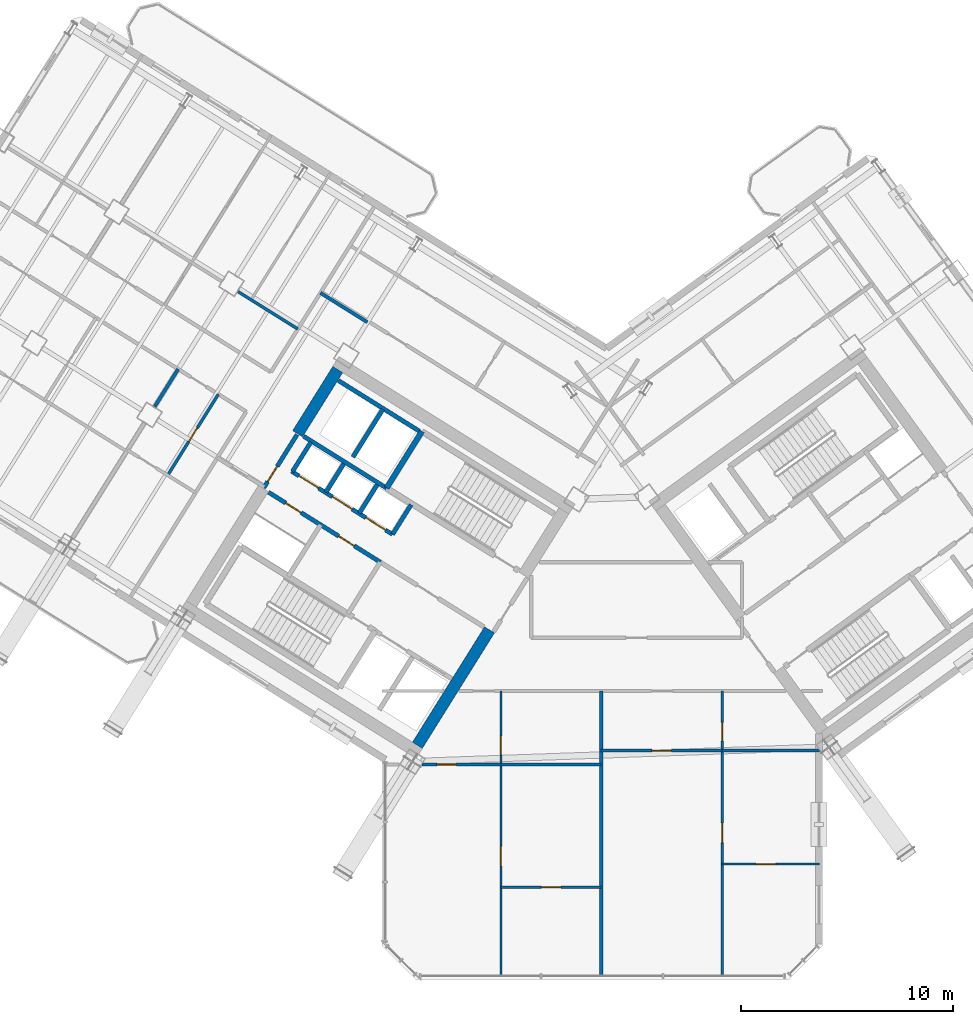
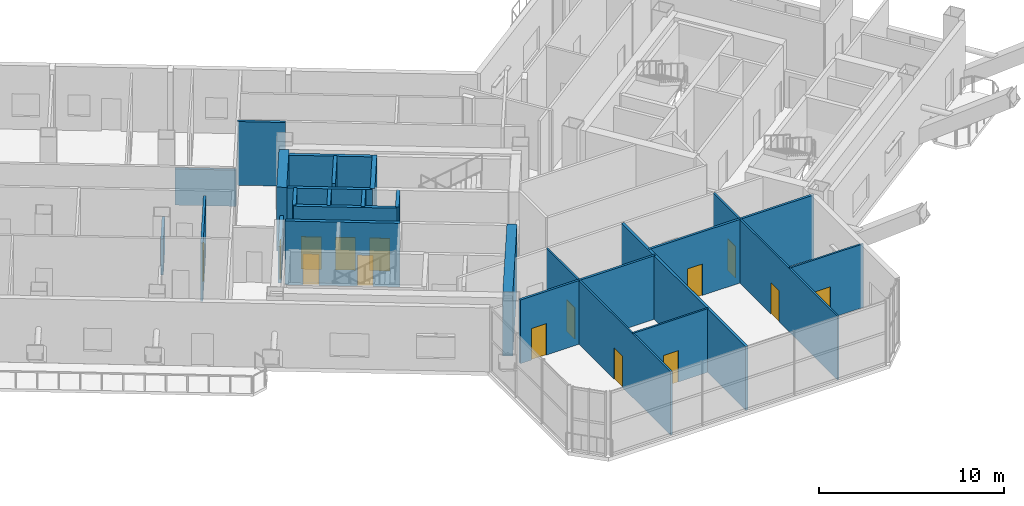
# One storey, part 22 of 32: 26 walls, 15 doors, 15 openings.
"""IFC4 building model written with IfcOpenShell, lengths in metres."""

from ifc_helpers import new_model, si_unit, direction, frame, frame_2d, origin, place, context, subcontext, project, spatial, rectangle, extrude, source, transform, mapped, material, layer, layer_set, type_object, element, fill, save


model = new_model("IFC4")

# Units and contexts
model_context = context("Model", 3, precision=1e-05, world=origin(), true_north=direction((0.0, 1.0)))
body_context = subcontext(model_context, "Body", "Model", "MODEL_VIEW")
ifc_project = project(units=[si_unit("LENGTHUNIT", "METRE"), si_unit("AREAUNIT", "SQUARE_METRE"), si_unit("VOLUMEUNIT", "CUBIC_METRE"), si_unit("PLANEANGLEUNIT", "RADIAN"), si_unit("MASSUNIT", "GRAM", prefix="KILO")], contexts=[model_context])

# Site, building, storey
site_placement = place(None, origin())
site = spatial("IfcSite", under=ifc_project, at=site_placement, CompositionType="ELEMENT")
building_placement = place(site_placement, origin())
building = spatial("IfcBuilding", under=site, at=building_placement, Name="Tlacorven Tower", CompositionType="ELEMENT")
storey_placement = place(building_placement, frame((0.0, 0.0, 123.300048828125)))
storey = spatial("IfcBuildingStorey", under=building, at=storey_placement, Name="L31", CompositionType="ELEMENT", Elevation=123.300048828125)

# Walls
ifc_material_1 = material(Name="Concrete C60/75", Category="concrete")
ifc_layer_1 = layer(ifc_material_1, 0.550048828125)
ifc_layer_set_1 = layer_set([ifc_layer_1], Name="Concrete C60/75")
wall_type_1 = type_object("IfcWallType", Name="WL-COR-550", PredefinedType="SHEAR", material=ifc_layer_set_1)
wall_1_placement = place(storey_placement, frame((36.683349609375, 18.30419921875, 0.0), z_axis=(0.0, 0.0, 1.0), x_axis=(-0.529896466841, -0.848062341122, 0.0)))
element("IfcWall", 1, at=wall_1_placement, inside=storey, type_object=wall_type_1, Name="L31 W core end wall E1.2", PredefinedType="SHEAR", context=body_context, shape_type="SweptSolid", body=[
    extrude(rectangle(XDim=6.4248046875, YDim=0.550048828125, at=frame_2d((3.21240234375, 0.0))), origin(), (0.0, 0.0, 1.0), 4.219970703125),
])
wall_2_placement = place(storey_placement, frame((29.517333984375, 30.59423828125, 0.0), z_axis=(0.0, 0.0, 1.0), x_axis=(-0.529906864564, -0.848055844204, 0.0)))
element("IfcWall", 2, at=wall_2_placement, inside=storey, type_object=wall_type_1, Name="L31 W core end wall E2.1", PredefinedType="SHEAR", context=body_context, shape_type="SweptSolid", body=[
    extrude(rectangle(XDim=3.5751953125, YDim=0.550048828125, at=frame_2d((1.78759765625, 0.0))), origin(), (0.0, 0.0, 1.0), 4.219970703125),
])
ifc_material_2 = material(Name="Gypsum plasterboard acoustic partition", Category="gypsum")
ifc_layer_2 = layer(ifc_material_2, 0.159912109375)
ifc_layer_set_2 = layer_set([ifc_layer_2], Name="Gypsum plasterboard acoustic partition")
wall_type_2 = type_object("IfcWallType", Name="WL-DEM-160", PredefinedType="PARTITIONING", material=ifc_layer_set_2)
wall_3_placement = place(storey_placement, frame((30.91357421875, 32.82861328125, 0.0), z_axis=(0.0, 0.0, 1.0), x_axis=(-0.848008813643, 0.529982124211, 0.0)))
element("IfcWall", 3, at=wall_3_placement, inside=storey, type_object=wall_type_2, Name="L31 partition 43", PredefinedType="PARTITIONING", context=body_context, shape_type="SweptSolid", body=[
    extrude(rectangle(XDim=2.610107421875, YDim=0.159912109375, at=frame_2d((1.30517578125, 0.0))), origin(), (0.0, 0.0, 1.0), 4.2099609375),
])
wall_4_placement = place(storey_placement, frame((21.9833984375, 30.614501953125, 0.0), z_axis=(0.0, 0.0, 1.0), x_axis=(-0.529956894714, -0.848024580862, 0.0)))
element("IfcWall", 4, at=wall_4_placement, inside=storey, type_object=wall_type_2, Name="L31 WN Demising Wall 1", PredefinedType="PARTITIONING", context=body_context, shape_type="SweptSolid", body=[
    extrude(rectangle(XDim=2.087890625, YDim=0.159912109375, at=frame_2d((1.0439453125, 0.0))), origin(), (0.0, 0.0, 1.0), 2.39501953125),
])
wall_5_placement = place(storey_placement, frame((41.949951171875, 1.9599609375, 0.0), z_axis=(0.0, 0.0, 1.0), x_axis=(0.0, 1.0, 0.0)))
element("IfcWall", 5, at=wall_5_placement, inside=storey, type_object=wall_type_2, Name="L31 Knuckle Demising Wall 1", PredefinedType="PARTITIONING", context=body_context, shape_type="SweptSolid", body=[
    extrude(rectangle(XDim=13.4599609375, YDim=0.159912109375, at=frame_2d((6.72998046875, 0.0))), origin(), (0.0, 0.0, 1.0), 4.2099609375),
])

# Wall, openings, doors
ifc_material_3 = material(Name="Gypsum plasterboard partition", Category="gypsum")
ifc_layer_3 = layer(ifc_material_3, 0.110107421875)
ifc_layer_set_3 = layer_set([ifc_layer_3], Name="Gypsum plasterboard partition")
wall_type_3 = type_object("IfcWallType", Name="WL-INT-110", PredefinedType="PARTITIONING", material=ifc_layer_set_3)
wall_6_placement = place(storey_placement, frame((37.221923828125, 1.9599609375, 0.0), z_axis=(0.0, 0.0, 1.0), x_axis=(0.0, 1.0, 0.0)))
wall_6 = element("IfcWall", 6, at=wall_6_placement, inside=storey, type_object=wall_type_3, Name="L31 partition 78", PredefinedType="PARTITIONING", context=body_context, shape_type="SweptSolid", body=[
    extrude(rectangle(XDim=13.4599609375, YDim=0.110107421875, at=frame_2d((6.72998046875, 0.0))), origin(), (0.0, 0.0, 1.0), 4.2099609375),
])
opening_1_placement = place(wall_6_placement, frame((5.199951171875, 0.0, 0.0)))
opening_1 = element("IfcOpeningElement", 7, at=opening_1_placement, cuts=wall_6, Name="Opening D12", PredefinedType="OPENING", context=body_context, shape_type="SweptSolid", body=[
    extrude(rectangle(XDim=0.919921875, YDim=2.080078125, at=frame_2d((0.4599609375, 1.0400390625))), frame((0.0, 0.06494140625, 0.0), z_axis=(0.0, -1.0, 0.0), x_axis=(1.0, 0.0, 0.0)), (0.0, 0.0, 1.0), 0.130126953125),
])
opening_2_placement = place(wall_6_placement, frame((10.449951171875, 0.0, 0.0)))
opening_2 = element("IfcOpeningElement", 8, at=opening_2_placement, cuts=wall_6, Name="Opening D13", PredefinedType="OPENING", context=body_context, shape_type="SweptSolid", body=[
    extrude(rectangle(XDim=0.8798828125, YDim=2.080078125, at=frame_2d((0.43994140625, 1.0400390625))), frame((0.0, 0.06494140625, 0.0), z_axis=(0.0, -1.0, 0.0), x_axis=(1.0, 0.0, 0.0)), (0.0, 0.0, 1.0), 0.130126953125),
])
ifc_material_4 = material(Name="Powder-coated aluminium and timber door", Category="wood")
door_type_1 = type_object("IfcDoorType", Name="DR-INT-WET-0880", OperationType="NOTDEFINED", PredefinedType="DOOR", material=ifc_material_4)
shared_shape_1 = source(origin(), body_context, "Body", "SweptSolid", [
    extrude(rectangle(XDim=0.8798828125, YDim=2.080078125, at=frame_2d((0.43994140625, 1.0400390625))), frame((0.0, 0.02490234375, 0.0), z_axis=(0.0, -1.0, 0.0), x_axis=(1.0, 0.0, 0.0)), (0.0, 0.0, 1.0), 0.050048828125),
])
door_1_placement = place(opening_2_placement, origin())
door_1 = element("IfcDoor", 9, at=door_1_placement, inside=storey, type_object=door_type_1, Name="L31 door 050", OperationType="SINGLE_SWING_RIGHT", OverallHeight=2.080078125, OverallWidth=0.8798828125, PredefinedType="DOOR", context=body_context, shape_type="MappedRepresentation", body=[
    mapped(shared_shape_1, transform((0.0, 0.0, 0.0), scale=1.0)),
])
fill(opening_2, door_1)
door_type_2 = type_object("IfcDoorType", Name="DR-INT-ROOM-0920", OperationType="NOTDEFINED", PredefinedType="DOOR", material=ifc_material_4)
shared_shape_2 = source(origin(), body_context, "Body", "SweptSolid", [
    extrude(rectangle(XDim=0.919921875, YDim=2.080078125, at=frame_2d((0.4599609375, 1.0400390625))), frame((0.0, 0.02490234375, 0.0), z_axis=(0.0, -1.0, 0.0), x_axis=(1.0, 0.0, 0.0)), (0.0, 0.0, 1.0), 0.050048828125),
])
door_2_placement = place(opening_1_placement, origin())
door_2 = element("IfcDoor", 10, at=door_2_placement, inside=storey, type_object=door_type_2, Name="L31 door 046", OperationType="SINGLE_SWING_RIGHT", OverallHeight=2.080078125, OverallWidth=0.919921875, PredefinedType="DOOR", context=body_context, shape_type="MappedRepresentation", body=[
    mapped(shared_shape_2, transform((0.0, 0.0, 0.0), scale=1.0)),
])
fill(opening_1, door_2)

# Wall, opening, door
wall_7_placement = place(storey_placement, frame((37.221923828125, 6.14990234375, 0.0), z_axis=(0.0, 0.0, 1.0), x_axis=(1.0, 0.0, 0.0)))
wall_7 = element("IfcWall", 11, at=wall_7_placement, inside=storey, type_object=wall_type_3, Name="L31 partition 81", PredefinedType="PARTITIONING", context=body_context, shape_type="SweptSolid", body=[
    extrude(rectangle(XDim=4.72802734375, YDim=0.110107421875, at=frame_2d((2.364013671875, 0.0))), origin(), (0.0, 0.0, 1.0), 4.2099609375),
])
opening_3_placement = place(wall_7_placement, frame((1.904052734375, 0.0, 0.0)))
opening_3 = element("IfcOpeningElement", 12, at=opening_3_placement, cuts=wall_7, Name="Opening D12", PredefinedType="OPENING", context=body_context, shape_type="SweptSolid", body=[
    extrude(rectangle(XDim=0.919921875, YDim=2.080078125, at=frame_2d((0.4599609375, 1.0400390625))), frame((0.0, 0.06494140625, 0.0), z_axis=(0.0, -1.0, 0.0), x_axis=(1.0, 0.0, 0.0)), (0.0, 0.0, 1.0), 0.130126953125),
])
door_3_placement = place(opening_3_placement, origin())
door_3 = element("IfcDoor", 13, at=door_3_placement, inside=storey, type_object=door_type_2, Name="L31 door 047", OperationType="SINGLE_SWING_LEFT", OverallHeight=2.080078125, OverallWidth=0.919921875, PredefinedType="DOOR", context=body_context, shape_type="MappedRepresentation", body=[
    mapped(shared_shape_2, transform((0.0, 0.0, 0.0), scale=1.0)),
])
fill(opening_3, door_3)

# Wall, openings, doors
wall_8_placement = place(storey_placement, frame((47.6630859375, 1.9599609375, 0.0), z_axis=(0.0, 0.0, 1.0), x_axis=(0.0, 1.0, 0.0)))
wall_8 = element("IfcWall", 14, at=wall_8_placement, inside=storey, type_object=wall_type_3, Name="L31 partition 82", PredefinedType="PARTITIONING", context=body_context, shape_type="SweptSolid", body=[
    extrude(rectangle(XDim=13.4599609375, YDim=0.110107421875, at=frame_2d((6.72998046875, 0.0))), origin(), (0.0, 0.0, 1.0), 4.2099609375),
])
opening_4_placement = place(wall_8_placement, frame((6.300048828125, 0.0, 0.0)))
opening_4 = element("IfcOpeningElement", 15, at=opening_4_placement, cuts=wall_8, Name="Opening D12", PredefinedType="OPENING", context=body_context, shape_type="SweptSolid", body=[
    extrude(rectangle(XDim=0.919921875, YDim=2.080078125, at=frame_2d((0.4599609375, 1.0400390625))), frame((0.0, 0.06494140625, 0.0), z_axis=(0.0, -1.0, 0.0), x_axis=(1.0, 0.0, 0.0)), (0.0, 0.0, 1.0), 0.130126953125),
])
opening_5_placement = place(wall_8_placement, frame((11.10009765625, 0.0, 0.0)))
opening_5 = element("IfcOpeningElement", 16, at=opening_5_placement, cuts=wall_8, Name="Opening D13", PredefinedType="OPENING", context=body_context, shape_type="SweptSolid", body=[
    extrude(rectangle(XDim=0.8798828125, YDim=2.080078125, at=frame_2d((0.43994140625, 1.0400390625))), frame((0.0, 0.06494140625, 0.0), z_axis=(0.0, -1.0, 0.0), x_axis=(1.0, 0.0, 0.0)), (0.0, 0.0, 1.0), 0.130126953125),
])
door_4_placement = place(opening_5_placement, origin())
door_4 = element("IfcDoor", 17, at=door_4_placement, inside=storey, type_object=door_type_1, Name="L31 door 055", OperationType="SINGLE_SWING_LEFT", OverallHeight=2.080078125, OverallWidth=0.8798828125, PredefinedType="DOOR", context=body_context, shape_type="MappedRepresentation", body=[
    mapped(shared_shape_1, transform((0.0, 0.0, 0.0), scale=1.0)),
])
fill(opening_5, door_4)
door_5_placement = place(opening_4_placement, origin())
door_5 = element("IfcDoor", 18, at=door_5_placement, inside=storey, type_object=door_type_2, Name="L31 door 051", OperationType="SINGLE_SWING_LEFT", OverallHeight=2.080078125, OverallWidth=0.919921875, PredefinedType="DOOR", context=body_context, shape_type="MappedRepresentation", body=[
    mapped(shared_shape_2, transform((0.0, 0.0, 0.0), scale=1.0)),
])
fill(opening_4, door_5)

# Wall, opening, door
wall_9_placement = place(storey_placement, frame((47.6630859375, 7.25, 0.0), z_axis=(0.0, 0.0, 1.0), x_axis=(1.0, 0.0, 0.0)))
wall_9 = element("IfcWall", 19, at=wall_9_placement, inside=storey, type_object=wall_type_3, Name="L31 partition 85", PredefinedType="PARTITIONING", context=body_context, shape_type="SweptSolid", body=[
    extrude(rectangle(XDim=4.596923828125, YDim=0.110107421875, at=frame_2d((2.29833984375, 0.0))), origin(), (0.0, 0.0, 1.0), 4.2099609375),
])
opening_6_placement = place(wall_9_placement, frame((1.6083984375, 0.0, 0.0)))
opening_6 = element("IfcOpeningElement", 20, at=opening_6_placement, cuts=wall_9, Name="Opening D12", PredefinedType="OPENING", context=body_context, shape_type="SweptSolid", body=[
    extrude(rectangle(XDim=0.919921875, YDim=2.080078125, at=frame_2d((0.4599609375, 1.0400390625))), frame((0.0, 0.06494140625, 0.0), z_axis=(0.0, -1.0, 0.0), x_axis=(1.0, 0.0, 0.0)), (0.0, 0.0, 1.0), 0.130126953125),
])
door_6_placement = place(opening_6_placement, origin())
door_6 = element("IfcDoor", 21, at=door_6_placement, inside=storey, type_object=door_type_2, Name="L31 door 052", OperationType="SINGLE_SWING_RIGHT", OverallHeight=2.080078125, OverallWidth=0.919921875, PredefinedType="DOOR", context=body_context, shape_type="MappedRepresentation", body=[
    mapped(shared_shape_2, transform((0.0, 0.0, 0.0), scale=1.0)),
])
fill(opening_6, door_6)

ifc_material_5 = material(Name="Moisture-resistant gypsum plumbing wall", Category="gypsum")
ifc_layer_4 = layer(ifc_material_5, 0.139892578125)
ifc_layer_set_4 = layer_set([ifc_layer_4], Name="Moisture-resistant gypsum plumbing wall")
wall_type_4 = type_object("IfcWallType", Name="WL-PLM-140", PredefinedType="PLUMBINGWALL", material=ifc_layer_set_4)
wall_10_placement = place(storey_placement, frame((23.883056640625, 29.427490234375, 0.0), z_axis=(0.0, 0.0, 1.0), x_axis=(-0.529950281337, -0.84802871373, 0.0)))
wall_10 = element("IfcWall", 22, at=wall_10_placement, inside=storey, type_object=wall_type_4, Name="L31 partition 52", PredefinedType="PLUMBINGWALL", context=body_context, shape_type="SweptSolid", body=[
    extrude(rectangle(XDim=4.510009765625, YDim=0.139892578125, at=frame_2d((2.2548828125, 0.0))), origin(), (0.0, 0.0, 1.0), 3.864990234375),
])
opening_7_placement = place(wall_10_placement, frame((1.864990234375, 0.0, 0.0)))
opening_7 = element("IfcOpeningElement", 23, at=opening_7_placement, cuts=wall_10, Name="Opening D22", PredefinedType="OPENING", context=body_context, shape_type="SweptSolid", body=[
    extrude(rectangle(XDim=0.780029296875, YDim=2.050048828125, at=frame_2d((0.39013671875, 1.02490234375))), frame((0.0, 0.080078125, 0.0), z_axis=(0.0, -1.0, 0.0), x_axis=(1.0, 0.0, 0.0)), (0.0, 0.0, 1.0), 0.159912109375),
])
door_type_3 = type_object("IfcDoorType", Name="DR-INT-WET-0780", OperationType="NOTDEFINED", PredefinedType="DOOR", material=ifc_material_4)
shared_shape_3 = source(origin(), body_context, "Body", "SweptSolid", [
    extrude(rectangle(XDim=0.780029296875, YDim=2.050048828125, at=frame_2d((0.39013671875, 1.02490234375))), frame((0.0, 0.02490234375, 0.0), z_axis=(0.0, -1.0, 0.0), x_axis=(1.0, 0.0, 0.0)), (0.0, 0.0, 1.0), 0.050048828125),
])
door_7_placement = place(opening_7_placement, origin())
door_7 = element("IfcDoor", 24, at=door_7_placement, inside=storey, type_object=door_type_3, Name="L31 door 024", OperationType="SINGLE_SWING_RIGHT", OverallHeight=2.050048828125, OverallWidth=0.780029296875, PredefinedType="DOOR", context=body_context, shape_type="MappedRepresentation", body=[
    mapped(shared_shape_3, transform((0.0, 0.0, 0.0), scale=1.0)),
])
fill(opening_7, door_7)

# Wall
wall_11_placement = place(storey_placement, frame((27.635009765625, 32.50732421875, 0.0), z_axis=(0.0, 0.0, 1.0), x_axis=(-0.848064240775, 0.529893426567, 0.0)))
element("IfcWall", 25, at=wall_11_placement, inside=storey, type_object=wall_type_4, Name="L31 partition 60", PredefinedType="PLUMBINGWALL", context=body_context, shape_type="SweptSolid", body=[
    extrude(rectangle(XDim=3.327880859375, YDim=0.139892578125, at=frame_2d((1.6640625, 0.0))), origin(), (0.0, 0.0, 1.0), 2.39501953125),
])

# Wall, opening, door
wall_12_placement = place(storey_placement, frame((33.50537109375, 11.949951171875, 0.0), z_axis=(0.0, 0.0, 1.0), x_axis=(1.0, 0.0, 0.0)))
wall_12 = element("IfcWall", 26, at=wall_12_placement, inside=storey, type_object=wall_type_4, Name="L31 partition 79", PredefinedType="PLUMBINGWALL", context=body_context, shape_type="SweptSolid", body=[
    extrude(rectangle(XDim=3.716552734375, YDim=0.139892578125, at=frame_2d((1.8583984375, 0.0))), origin(), (0.0, 0.0, 1.0), 4.2099609375),
])
opening_8_placement = place(wall_12_placement, frame((0.695556640625, 0.0, 0.0)))
opening_8 = element("IfcOpeningElement", 27, at=opening_8_placement, cuts=wall_12, Name="Opening D12", PredefinedType="OPENING", context=body_context, shape_type="SweptSolid", body=[
    extrude(rectangle(XDim=0.919921875, YDim=2.080078125, at=frame_2d((0.4599609375, 1.0400390625))), frame((0.0, 0.080078125, 0.0), z_axis=(0.0, -1.0, 0.0), x_axis=(1.0, 0.0, 0.0)), (0.0, 0.0, 1.0), 0.159912109375),
])
door_8_placement = place(opening_8_placement, frame((0.919921875, 0.0, 0.0), z_axis=(0.0, 0.0, 1.0), x_axis=(-1.0, 0.0, 0.0)))
door_8 = element("IfcDoor", 28, at=door_8_placement, inside=storey, type_object=door_type_2, Name="L31 door 049", OperationType="SINGLE_SWING_RIGHT", OverallHeight=2.080078125, OverallWidth=0.919921875, PredefinedType="DOOR", context=body_context, shape_type="MappedRepresentation", body=[
    mapped(shared_shape_2, transform((0.0, 0.0, 0.0), scale=1.0)),
])
fill(opening_8, door_8)

# Wall
wall_13_placement = place(storey_placement, frame((37.221923828125, 11.949951171875, 0.0), z_axis=(0.0, 0.0, 1.0), x_axis=(1.0, 0.0, 0.0)))
element("IfcWall", 29, at=wall_13_placement, inside=storey, type_object=wall_type_4, Name="L31 partition 80", PredefinedType="PLUMBINGWALL", context=body_context, shape_type="SweptSolid", body=[
    extrude(rectangle(XDim=4.72802734375, YDim=0.139892578125, at=frame_2d((2.364013671875, 0.0))), origin(), (0.0, 0.0, 1.0), 4.2099609375),
])

# Wall, opening, door
wall_14_placement = place(storey_placement, frame((41.949951171875, 12.60009765625, 0.0), z_axis=(0.0, 0.0, 1.0), x_axis=(1.0, 0.0, 0.0)))
wall_14 = element("IfcWall", 30, at=wall_14_placement, inside=storey, type_object=wall_type_4, Name="L31 partition 83", PredefinedType="PLUMBINGWALL", context=body_context, shape_type="SweptSolid", body=[
    extrude(rectangle(XDim=5.713134765625, YDim=0.139892578125, at=frame_2d((2.8564453125, 0.0))), origin(), (0.0, 0.0, 1.0), 4.2099609375),
])
opening_9_placement = place(wall_14_placement, frame((2.396484375, 0.0, 0.0)))
opening_9 = element("IfcOpeningElement", 31, at=opening_9_placement, cuts=wall_14, Name="Opening D12", PredefinedType="OPENING", context=body_context, shape_type="SweptSolid", body=[
    extrude(rectangle(XDim=0.919921875, YDim=2.080078125, at=frame_2d((0.4599609375, 1.0400390625))), frame((0.0, 0.080078125, 0.0), z_axis=(0.0, -1.0, 0.0), x_axis=(1.0, 0.0, 0.0)), (0.0, 0.0, 1.0), 0.159912109375),
])
door_9_placement = place(opening_9_placement, frame((0.919921875, 0.0, 0.0), z_axis=(0.0, 0.0, 1.0), x_axis=(-1.0, 0.0, 0.0)))
door_9 = element("IfcDoor", 32, at=door_9_placement, inside=storey, type_object=door_type_2, Name="L31 door 054", OperationType="SINGLE_SWING_RIGHT", OverallHeight=2.080078125, OverallWidth=0.919921875, PredefinedType="DOOR", context=body_context, shape_type="MappedRepresentation", body=[
    mapped(shared_shape_2, transform((0.0, 0.0, 0.0), scale=1.0)),
])
fill(opening_9, door_9)

# Walls
wall_15_placement = place(storey_placement, frame((47.6630859375, 12.60009765625, 0.0), z_axis=(0.0, 0.0, 1.0), x_axis=(1.0, 0.0, 0.0)))
element("IfcWall", 33, at=wall_15_placement, inside=storey, type_object=wall_type_4, Name="L31 partition 84", PredefinedType="PLUMBINGWALL", context=body_context, shape_type="SweptSolid", body=[
    extrude(rectangle(XDim=4.596923828125, YDim=0.139892578125, at=frame_2d((2.29833984375, 0.0))), origin(), (0.0, 0.0, 1.0), 4.2099609375),
])
ifc_material_6 = material(Name="Concrete C40/50", Category="concrete")
ifc_layer_5 = layer(ifc_material_6, 0.199951171875)
ifc_layer_set_5 = layer_set([ifc_layer_5], Name="Concrete C40/50")
wall_type_5 = type_object("IfcWallType", Name="WL-SHF-200", PredefinedType="STANDARD", material=ifc_layer_set_5)
wall_16_placement = place(storey_placement, frame((31.82177734375, 24.99755859375, 0.0), z_axis=(0.0, 0.0, 1.0), x_axis=(-0.848036912365, 0.52993716162, 0.0)))
element("IfcWall", 34, at=wall_16_placement, inside=storey, type_object=wall_type_5, Name="L31 Core W South Lift Shaft Wall", PredefinedType="STANDARD", context=body_context, shape_type="SweptSolid", body=[
    extrude(rectangle(XDim=4.617919921875, YDim=0.199951171875, at=frame_2d((2.30908203125, 0.0))), origin(), (0.0, 0.0, 1.0), 4.2099609375),
])

# Wall, openings, doors
wall_17_placement = place(storey_placement, frame((32.108154296875, 22.81396484375, 0.0), z_axis=(0.0, 0.0, 1.0), x_axis=(-0.848042229521, 0.529928652696, 0.0)))
wall_17 = element("IfcWall", 35, at=wall_17_placement, inside=storey, type_object=wall_type_5, Name="L31 partition 11", PredefinedType="STANDARD", context=body_context, shape_type="SweptSolid", body=[
    extrude(rectangle(XDim=5.6201171875, YDim=0.199951171875, at=frame_2d((2.81005859375, 0.0))), origin(), (0.0, 0.0, 1.0), 4.2099609375),
])
opening_10_placement = place(wall_17_placement, frame((0.389892578125, 0.0, 0.0)))
opening_10 = element("IfcOpeningElement", 36, at=opening_10_placement, cuts=wall_17, Name="Opening LD01", PredefinedType="OPENING", context=body_context, shape_type="SweptSolid", body=[
    extrude(rectangle(XDim=1.10009765625, YDim=2.14990234375, at=frame_2d((0.550048828125, 1.074951171875))), frame((0.0, 0.10986328125, 0.0), z_axis=(0.0, -1.0, 0.0), x_axis=(1.0, 0.0, 0.0)), (0.0, 0.0, 1.0), 0.219970703125),
])
opening_11_placement = place(wall_17_placement, frame((2.25, 0.0, 0.0)))
opening_11 = element("IfcOpeningElement", 37, at=opening_11_placement, cuts=wall_17, Name="Opening LD01", PredefinedType="OPENING", context=body_context, shape_type="SweptSolid", body=[
    extrude(rectangle(XDim=1.10009765625, YDim=2.14990234375, at=frame_2d((0.550048828125, 1.074951171875))), frame((0.0, 0.10986328125, 0.0), z_axis=(0.0, -1.0, 0.0), x_axis=(1.0, 0.0, 0.0)), (0.0, 0.0, 1.0), 0.219970703125),
])
opening_12_placement = place(wall_17_placement, frame((4.110107421875, 0.0, 0.0)))
opening_12 = element("IfcOpeningElement", 38, at=opening_12_placement, cuts=wall_17, Name="Opening LD01", PredefinedType="OPENING", context=body_context, shape_type="SweptSolid", body=[
    extrude(rectangle(XDim=1.10009765625, YDim=2.14990234375, at=frame_2d((0.550048828125, 1.074951171875))), frame((0.0, 0.10986328125, 0.0), z_axis=(0.0, -1.0, 0.0), x_axis=(1.0, 0.0, 0.0)), (0.0, 0.0, 1.0), 0.219970703125),
])
ifc_material_7 = material(Name="Fire-rated steel door assembly", Category="steel")
door_type_4 = type_object("IfcDoorType", Name="DR-LFT-SLID-1100", OperationType="DOUBLE_DOOR_SLIDING", PredefinedType="DOOR", material=ifc_material_7)
shared_shape_4 = source(origin(), body_context, "Body", "SweptSolid", [
    extrude(rectangle(XDim=1.10009765625, YDim=2.14990234375, at=frame_2d((0.550048828125, 1.074951171875))), frame((0.0, 0.02490234375, 0.0), z_axis=(0.0, -1.0, 0.0), x_axis=(1.0, 0.0, 0.0)), (0.0, 0.0, 1.0), 0.050048828125),
])
door_10_placement = place(opening_10_placement, origin())
door_10 = element("IfcDoor", 39, at=door_10_placement, inside=storey, type_object=door_type_4, Name="L31 Lift PL-M1 Sliding Landing Door", OperationType="DOUBLE_DOOR_SLIDING", OverallHeight=2.14990234375, OverallWidth=1.10009765625, PredefinedType="DOOR", context=body_context, shape_type="MappedRepresentation", body=[
    mapped(shared_shape_4, transform((0.0, 0.0, 0.0), scale=1.0)),
])
fill(opening_10, door_10)
door_11_placement = place(opening_11_placement, origin())
door_11 = element("IfcDoor", 40, at=door_11_placement, inside=storey, type_object=door_type_4, Name="L31 Lift PL-M2 Sliding Landing Door", OperationType="DOUBLE_DOOR_SLIDING", OverallHeight=2.14990234375, OverallWidth=1.10009765625, PredefinedType="DOOR", context=body_context, shape_type="MappedRepresentation", body=[
    mapped(shared_shape_4, transform((0.0, 0.0, 0.0), scale=1.0)),
])
fill(opening_11, door_11)
door_12_placement = place(opening_12_placement, origin())
door_12 = element("IfcDoor", 41, at=door_12_placement, inside=storey, type_object=door_type_4, Name="L31 Lift PL-M3 Sliding Landing Door", OperationType="DOUBLE_DOOR_SLIDING", OverallHeight=2.14990234375, OverallWidth=1.10009765625, PredefinedType="DOOR", context=body_context, shape_type="MappedRepresentation", body=[
    mapped(shared_shape_4, transform((0.0, 0.0, 0.0), scale=1.0)),
])
fill(opening_12, door_12)

# Walls
wall_18_placement = place(storey_placement, frame((32.982421875, 24.21337890625, 0.0), z_axis=(0.0, 0.0, 1.0), x_axis=(-0.529839334948, -0.84809803628, 0.0)))
element("IfcWall", 42, at=wall_18_placement, inside=storey, type_object=wall_type_5, Name="L31 partition 12", PredefinedType="STANDARD", context=body_context, shape_type="SweptSolid", body=[
    extrude(rectangle(XDim=1.650146484375, YDim=0.199951171875, at=frame_2d((0.8251953125, 0.0))), origin(), (0.0, 0.0, 1.0), 4.2099609375),
])
wall_19_placement = place(storey_placement, frame((28.250244140625, 27.170166015625, 0.0), z_axis=(0.0, 0.0, 1.0), x_axis=(-0.529905827651, -0.848056492117, 0.0)))
element("IfcWall", 43, at=wall_19_placement, inside=storey, type_object=wall_type_5, Name="L31 partition 13", PredefinedType="STANDARD", context=body_context, shape_type="SweptSolid", body=[
    extrude(rectangle(XDim=1.64990234375, YDim=0.199951171875, at=frame_2d((0.824951171875, 0.0))), origin(), (0.0, 0.0, 1.0), 4.2099609375),
])
wall_20_placement = place(storey_placement, frame((31.645263671875, 28.716064453125, 0.0), z_axis=(0.0, 0.0, 1.0), x_axis=(-0.52986693015, -0.848080795876, 0.0)))
element("IfcWall", 44, at=wall_20_placement, inside=storey, type_object=wall_type_5, Name="L31 partition 15", PredefinedType="STANDARD", context=body_context, shape_type="SweptSolid", body=[
    extrude(rectangle(XDim=2.659912109375, YDim=0.199951171875, at=frame_2d((1.330078125, 0.0))), origin(), (0.0, 0.0, 1.0), 4.2099609375),
])
wall_21_placement = place(storey_placement, frame((33.362548828125, 27.690185546875, 0.0), z_axis=(0.0, 0.0, 1.0), x_axis=(-0.848047090064, 0.529920874315, 0.0)))
element("IfcWall", 45, at=wall_21_placement, inside=storey, type_object=wall_type_5, Name="L31 partition 17", PredefinedType="STANDARD", context=body_context, shape_type="SweptSolid", body=[
    extrude(rectangle(XDim=4.498046875, YDim=0.199951171875, at=frame_2d((2.2490234375, 0.0))), origin(), (0.0, 0.0, 1.0), 4.2099609375),
])
for number, where, z_axis, x_axis, name in (
    (46, (31.378662109375, 25.156494140625, 0.0), (0.0, 0.0, 1.0), (-0.529998940003, -0.847998304005, 0.0), "L31 partition 18"),
    (47, (29.80126953125, 26.14208984375, 0.0), (0.0, 0.0, 1.0), (-0.529998940003, -0.847998304005, 0.0), "L31 partition 19"),
):
    element("IfcWall", number, at=place(storey_placement, frame(where, z_axis=z_axis, x_axis=x_axis)), inside=storey, type_object=wall_type_5, Name=name, PredefinedType="STANDARD", context=body_context, shape_type="SweptSolid", body=[
        extrude(rectangle(XDim=1.580078125, YDim=0.199951171875, at=frame_2d((0.7900390625, 0.0))), origin(), (0.0, 0.0, 1.0), 4.2099609375),
    ])

# Wall, openings, doors
wall_22_placement = place(storey_placement, frame((31.525146484375, 21.503662109375, 0.0), z_axis=(0.0, 0.0, 1.0), x_axis=(-0.848040211232, 0.529931882541, 0.0)))
wall_22 = element("IfcWall", 48, at=wall_22_placement, inside=storey, type_object=wall_type_5, Name="L31 Core W North Service Wall", PredefinedType="STANDARD", context=body_context, shape_type="SweptSolid", body=[
    extrude(rectangle(XDim=6.218017578125, YDim=0.199951171875, at=frame_2d((3.10888671875, 0.0))), origin(), (0.0, 0.0, 1.0), 4.2099609375),
])
opening_13_placement = place(wall_22_placement, frame((4.39990234375, 0.0, 0.0)))
opening_13 = element("IfcOpeningElement", 49, at=opening_13_placement, cuts=wall_22, Name="Opening D19", PredefinedType="OPENING", context=body_context, shape_type="SweptSolid", body=[
    extrude(rectangle(XDim=0.860107421875, YDim=2.050048828125, at=frame_2d((0.43017578125, 1.02490234375))), frame((0.0, 0.10986328125, 0.0), z_axis=(0.0, -1.0, 0.0), x_axis=(1.0, 0.0, 0.0)), (0.0, 0.0, 1.0), 0.219970703125),
])
opening_14_placement = place(wall_22_placement, frame((1.449951171875, 0.0, 0.0)))
opening_14 = element("IfcOpeningElement", 50, at=opening_14_placement, cuts=wall_22, Name="Opening D19", PredefinedType="OPENING", context=body_context, shape_type="SweptSolid", body=[
    extrude(rectangle(XDim=0.860107421875, YDim=2.050048828125, at=frame_2d((0.43017578125, 1.02490234375))), frame((0.0, 0.10986328125, 0.0), z_axis=(0.0, -1.0, 0.0), x_axis=(1.0, 0.0, 0.0)), (0.0, 0.0, 1.0), 0.219970703125),
])
door_type_5 = type_object("IfcDoorType", Name="DR-RSR-FD60-0860", OperationType="NOTDEFINED", PredefinedType="DOOR", material=ifc_material_7)
shared_shape_5 = source(origin(), body_context, "Body", "SweptSolid", [
    extrude(rectangle(XDim=0.860107421875, YDim=2.050048828125, at=frame_2d((0.43017578125, 1.02490234375))), frame((0.0, 0.02490234375, 0.0), z_axis=(0.0, -1.0, 0.0), x_axis=(1.0, 0.0, 0.0)), (0.0, 0.0, 1.0), 0.050048828125),
])
door_13_placement = place(opening_13_placement, frame((0.860107421875, 0.0, 0.0), z_axis=(0.0, 0.0, 1.0), x_axis=(-1.0, 0.0, 0.0)))
door_13 = element("IfcDoor", 51, at=door_13_placement, inside=storey, type_object=door_type_5, Name="L31 Electrical Riser Access Door W", OperationType="SINGLE_SWING_RIGHT", OverallHeight=2.050048828125, OverallWidth=0.860107421875, PredefinedType="DOOR", context=body_context, shape_type="MappedRepresentation", body=[
    mapped(shared_shape_5, transform((0.0, 0.0, 0.0), scale=1.0)),
])
fill(opening_13, door_13)
door_14_placement = place(opening_14_placement, frame((0.860107421875, 0.0, 0.0), z_axis=(0.0, 0.0, 1.0), x_axis=(-1.0, 0.0, 0.0)))
door_14 = element("IfcDoor", 52, at=door_14_placement, inside=storey, type_object=door_type_5, Name="L31 Housekeeping Linen Access Door W", OperationType="SINGLE_SWING_LEFT", OverallHeight=2.050048828125, OverallWidth=0.860107421875, PredefinedType="DOOR", context=body_context, shape_type="MappedRepresentation", body=[
    mapped(shared_shape_5, transform((0.0, 0.0, 0.0), scale=1.0)),
])
fill(opening_14, door_14)

# Wall, opening, door
wall_23_placement = place(storey_placement, frame((27.59619140625, 27.52001953125, 0.0), z_axis=(0.0, 0.0, 1.0), x_axis=(-0.529865479138, -0.848081702443, 0.0)))
wall_23 = element("IfcWall", 53, at=wall_23_placement, inside=storey, type_object=wall_type_5, Name="L31 partition 42", PredefinedType="STANDARD", context=body_context, shape_type="SweptSolid", body=[
    extrude(rectangle(XDim=2.9599609375, YDim=0.199951171875, at=frame_2d((1.47998046875, 0.0))), origin(), (0.0, 0.0, 1.0), 2.39501953125),
])
opening_15_placement = place(wall_23_placement, frame((1.760009765625, 0.0, 0.0)))
opening_15 = element("IfcOpeningElement", 54, at=opening_15_placement, cuts=wall_23, Name="Opening D19", PredefinedType="OPENING", context=body_context, shape_type="SweptSolid", body=[
    extrude(rectangle(XDim=0.860107421875, YDim=2.050048828125, at=frame_2d((0.43017578125, 1.02490234375))), frame((0.0, 0.10986328125, 0.0), z_axis=(0.0, -1.0, 0.0), x_axis=(1.0, 0.0, 0.0)), (0.0, 0.0, 1.0), 0.219970703125),
])
door_15_placement = place(opening_15_placement, origin())
door_15 = element("IfcDoor", 55, at=door_15_placement, inside=storey, type_object=door_type_5, Name="L31 door 021", OperationType="SINGLE_SWING_LEFT", OverallHeight=2.050048828125, OverallWidth=0.860107421875, PredefinedType="DOOR", context=body_context, shape_type="MappedRepresentation", body=[
    mapped(shared_shape_5, transform((0.0, 0.0, 0.0), scale=1.0)),
])
fill(opening_15, door_15)

# Wall
ifc_material_8 = material(Name="Concrete C50/60", Category="concrete")
ifc_layer_6 = layer(ifc_material_8, 0.260009765625)
ifc_layer_set_6 = layer_set([ifc_layer_6], Name="Concrete C50/60")
wall_type_6 = type_object("IfcWallType", Name="WL-STW-260", PredefinedType="SHEAR", material=ifc_layer_set_6)
wall_24_placement = place(storey_placement, frame((33.496337890625, 27.677490234375, 0.0), z_axis=(0.0, 0.0, 1.0), x_axis=(-0.529908658664, -0.84805472316, 0.0)))
element("IfcWall", 56, at=wall_24_placement, inside=storey, type_object=wall_type_6, Name="L31 Stair W2 East Shear Wall", PredefinedType="SHEAR", context=body_context, shape_type="SweptSolid", body=[
    extrude(rectangle(XDim=3.16015625, YDim=0.260009765625, at=frame_2d((1.580078125, 0.0))), origin(), (0.0, 0.0, 1.0), 4.219970703125),
])

save(model, "model.ifc")
